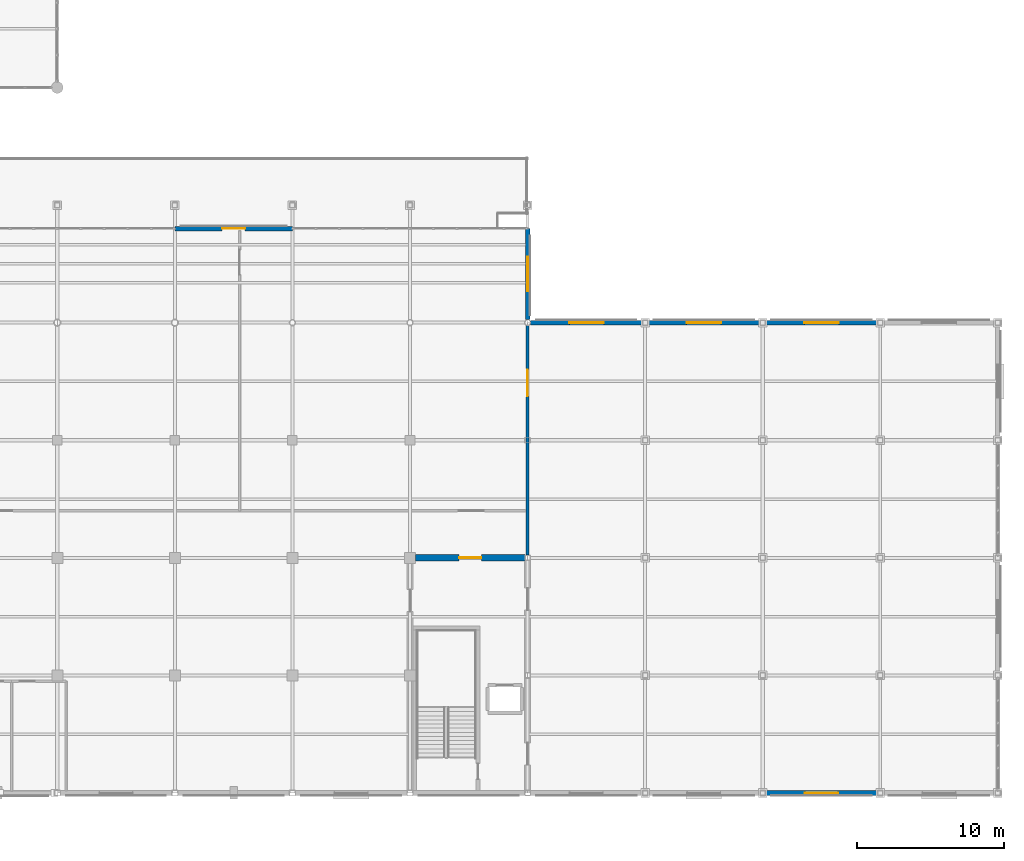
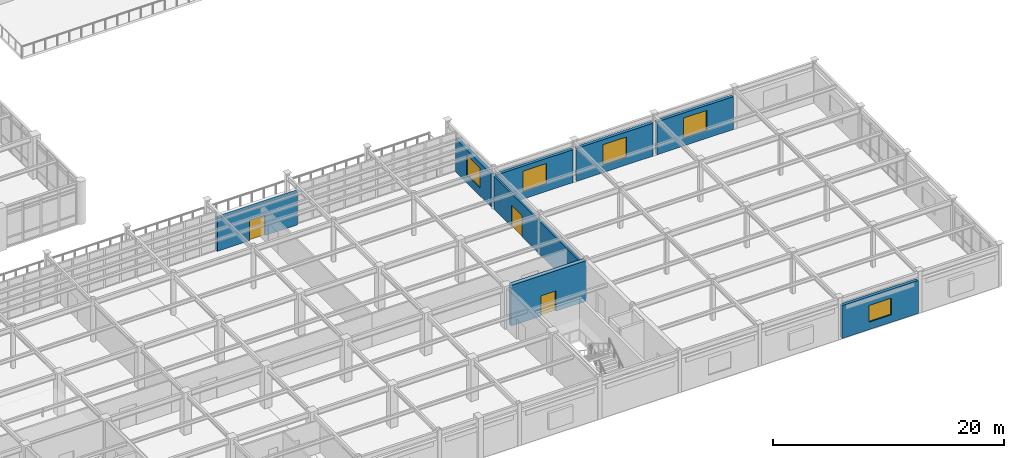
# One storey, part 85 of 111: 8 walls, 5 windows, 3 doors, 8 openings.
"""IFC4 building model written with IfcOpenShell, lengths in metres."""

import ifcopenshell
import ifcopenshell.guid

model = None  # the IFC model being written
_history = None  # IfcOwnerHistory: only IFC2X3 demands one
_inside = {}  # id of a spatial element -> (the spatial element, [elements in it])
_under = {}  # id of a project, library or spatial element -> (it, [spatial elements below it])
_declared = {}  # id of a project -> (the project, [libraries it declares])
_typed = {}  # id of a type object -> (the type object, [elements of that type])
_made_of = {}  # id of a material, layer set ... -> (it, [elements and type objects made of it])


def new_model(schema):
    """Start an empty IFC model of exactly this schema.

    Asked for "IFC4X3", IfcOpenShell would pick the latest addendum, in which some entities
    have other attributes; the version numbers below select the first issue.
    IFC2X3 requires an IfcOwnerHistory on every rooted entity: one is made here for all.
    """
    global model, _history
    if schema == "IFC4X3":
        model = ifcopenshell.file(schema_version=(4, 3, 0, 0))
    else:
        model = ifcopenshell.file(schema=schema)
    _inside.clear()
    _under.clear()
    _declared.clear()
    _typed.clear()
    _made_of.clear()
    _history = None
    if model.schema == "IFC2X3":
        org = make("IfcOrganization", Name="unknown")
        user = make(
            "IfcPersonAndOrganization",
            ThePerson=make("IfcPerson", FamilyName="unknown"),
            TheOrganization=org,
        )
        app = make(
            "IfcApplication",
            ApplicationDeveloper=org,
            Version="unknown",
            ApplicationFullName="unknown",
            ApplicationIdentifier="unknown",
        )
        _history = make(
            "IfcOwnerHistory",
            OwningUser=user,
            OwningApplication=app,
            ChangeAction="ADDED",
            CreationDate=0,
        )
    return model


def make(cls, **values):
    """One entity of the class cls with the attributes given. An attribute that is None is left unset."""
    return model.create_entity(
        cls, **{name: value for name, value in values.items() if value is not None}
    )


def rooted(cls, **values):
    """An entity with a GlobalId (a new one), such as an element, a storey or a relation."""
    return make(cls, GlobalId=ifcopenshell.guid.new(), OwnerHistory=_history, **values)


def si_unit(unit_type, name, prefix=None):
    """IfcSIUnit, for example si_unit("LENGTHUNIT", "METRE", prefix="MILLI")."""
    return make("IfcSIUnit", UnitType=unit_type, Prefix=prefix, Name=name)


def assignment(units):
    """IfcUnitAssignment: the units of a project."""
    return None if units is None else make("IfcUnitAssignment", Units=units)


def point(xyz):
    """IfcCartesianPoint."""
    return None if xyz is None else make("IfcCartesianPoint", Coordinates=xyz)


def direction(xyz):
    """IfcDirection."""
    return None if xyz is None else make("IfcDirection", DirectionRatios=xyz)


def frame(location, z_axis=None, x_axis=None):
    """IfcAxis2Placement3D, a coordinate frame: its origin and axes. An axis left out is left unset."""
    return make(
        "IfcAxis2Placement3D",
        Location=point(location),
        Axis=direction(z_axis),
        RefDirection=direction(x_axis),
    )


def frame_2d(location, x_axis=None):
    """IfcAxis2Placement2D, a coordinate frame in the plane: its origin and x axis."""
    return make(
        "IfcAxis2Placement2D", Location=point(location), RefDirection=direction(x_axis)
    )


def origin():
    """The frame at (0, 0, 0) with its axes left unset."""
    return frame((0.0, 0.0, 0.0))


def place(relative_to, where):
    """IfcLocalPlacement: puts the frame where relative to a parent placement (None: the world)."""
    return make(
        "IfcLocalPlacement", PlacementRelTo=relative_to, RelativePlacement=where
    )


def context(
    kind, dimensions, precision=None, world=None, true_north=None, identifier=None
):
    """IfcGeometricRepresentationContext, for example the 3D "Model" context."""
    return make(
        "IfcGeometricRepresentationContext",
        ContextIdentifier=identifier,
        ContextType=kind,
        CoordinateSpaceDimension=dimensions,
        Precision=precision,
        WorldCoordinateSystem=world,
        TrueNorth=true_north,
    )


def subcontext(parent, identifier, kind, view, scale=None):
    """IfcGeometricRepresentationSubContext, for example "Body" below "Model"."""
    return make(
        "IfcGeometricRepresentationSubContext",
        ContextIdentifier=identifier,
        ContextType=kind,
        ParentContext=parent,
        TargetScale=scale,
        TargetView=view,
    )


def project(units=None, contexts=None):
    """IfcProject with its units and contexts."""
    return rooted(
        "IfcProject",
        Name="project",
        RepresentationContexts=contexts,
        UnitsInContext=assignment(units),
    )


def spatial(cls, under=None, at=None, **own):
    """A site, building, storey or space (cls), placed at a placement, below another one or the project."""
    s = rooted(cls, ObjectPlacement=at, **own)
    if under is not None:
        _under.setdefault(under.id(), (under, []))[1].append(s)
    return s


def profile(cls, at=None, kind="AREA", **sizes):
    """A parametric profile (cls). Its sizes go by their IFC names, for example OverallWidth=200.0."""
    return make(cls, ProfileType=kind, Position=at, **sizes)


def rectangle(**sizes):
    """IfcRectangleProfileDef."""
    return profile("IfcRectangleProfileDef", **sizes)


def extrude(swept, where, along, depth):
    """IfcExtrudedAreaSolid: the profile swept, set in the frame where, extruded along a direction by depth."""
    return make(
        "IfcExtrudedAreaSolid",
        SweptArea=swept,
        Position=where,
        ExtrudedDirection=direction(along),
        Depth=depth,
    )


def shape(context_of_items, identifier, shape_type, items):
    """IfcShapeRepresentation: the items that make up one representation, for example the "Body"."""
    return make(
        "IfcShapeRepresentation",
        ContextOfItems=context_of_items,
        RepresentationIdentifier=identifier,
        RepresentationType=shape_type,
        Items=items,
    )


def material(Name=None, Category=None):
    """IfcMaterial."""
    return make("IfcMaterial", Name=Name, Category=Category)


def layer(
    of_material, thickness, ventilated=None, Name=None, Category=None, Priority=None
):
    """IfcMaterialLayer: one layer of a wall or slab, of a material (None: an air gap)."""
    return make(
        "IfcMaterialLayer",
        Material=of_material,
        LayerThickness=thickness,
        IsVentilated=ventilated,
        Name=Name,
        Category=Category,
        Priority=Priority,
    )


def layer_set(layers, Name=None):
    """IfcMaterialLayerSet."""
    return make("IfcMaterialLayerSet", MaterialLayers=layers, LayerSetName=Name)


def made_of(thing, what):
    """Note that an element or type object is made of a material, layer set ...; save() writes the relation."""
    if what is not None:
        _made_of.setdefault(what.id(), (what, []))[1].append(thing)
    return thing


def type_object(cls, material=None, **own):
    """A type object (cls), such as IfcWallType, which elements share."""
    return made_of(rooted(cls, **own), material)


def element(
    cls,
    number,
    at=None,
    inside=None,
    cuts=None,
    type_object=None,
    material=None,
    context=None,
    identifier="Body",
    shape_type=None,
    held_by="IfcProductDefinitionShape",
    body=None,
    shapes=None,
    **own,
):
    """One element of the class cls, such as IfcWall. Its Tag is "e" and its number.

    at: its placement. inside: the storey or other place that contains it. cuts: it is an
    opening in that element (IfcRelVoidsElement). A single representation is given by context,
    identifier, shape_type and body (its items); several are given by shapes. held_by: the class
    of the entity that holds the representations. save() writes the other relations.
    """
    e = rooted(cls, Tag="e%d" % number, ObjectPlacement=at, **own)
    if body is not None:
        shapes = [shape(context, identifier, shape_type, body)]
    if shapes is not None:
        e.Representation = make(held_by, Representations=shapes)
    if inside is not None:
        _inside.setdefault(inside.id(), (inside, []))[1].append(e)
    if cuts is not None:
        rooted(
            "IfcRelVoidsElement", RelatingBuildingElement=cuts, RelatedOpeningElement=e
        )
    if type_object is not None:
        _typed.setdefault(type_object.id(), (type_object, []))[1].append(e)
    return made_of(e, material)


def fill(opening, filler):
    """IfcRelFillsElement: the door or window that sits in an opening."""
    return rooted(
        "IfcRelFillsElement",
        RelatingOpeningElement=opening,
        RelatedBuildingElement=filler,
    )


def aggregate(whole, parts):
    """IfcRelAggregates: a whole, such as a stair, and the parts it consists of."""
    return rooted("IfcRelAggregates", RelatingObject=whole, RelatedObjects=parts)


def save(model, path):
    """Write the relations noted so far, then the file.

    IfcRelAggregates (storeys below a building ...), IfcRelContainedInSpatialStructure (elements
    in a storey), IfcRelDefinesByType, IfcRelAssociatesMaterial and IfcRelDeclares: one each for
    every whole, place, type object, material and project.
    """
    for whole, parts in _under.values():
        aggregate(whole, parts)
    for where, things in _inside.values():
        rooted(
            "IfcRelContainedInSpatialStructure",
            RelatedElements=things,
            RelatingStructure=where,
        )
    for kind, things in _typed.values():
        rooted("IfcRelDefinesByType", RelatedObjects=things, RelatingType=kind)
    for what, things in _made_of.values():
        rooted("IfcRelAssociatesMaterial", RelatedObjects=things, RelatingMaterial=what)
    for by, libraries in _declared.values():
        rooted("IfcRelDeclares", RelatingContext=by, RelatedDefinitions=libraries)
    model.write(path)


model = new_model("IFC4")

# Units and contexts
model_context = context("Model", 3, precision=1e-05, world=origin(), true_north=direction((0.0, 1.0)))
body_context = subcontext(model_context, "Body", "Model", "MODEL_VIEW")
ifc_project = project(units=[si_unit("LENGTHUNIT", "METRE"), si_unit("AREAUNIT", "SQUARE_METRE"), si_unit("VOLUMEUNIT", "CUBIC_METRE"), si_unit("PLANEANGLEUNIT", "RADIAN"), si_unit("MASSUNIT", "GRAM", prefix="KILO")], contexts=[model_context])

# Site, building, storey
site_placement = place(None, origin())
site = spatial("IfcSite", under=ifc_project, at=site_placement, CompositionType="ELEMENT")
building_placement = place(site_placement, origin())
building = spatial("IfcBuilding", under=site, at=building_placement, Name="Solmirada Galleria", CompositionType="ELEMENT")
storey_placement = place(building_placement, frame((0.0, 0.0, 10.39990234375)))
storey = spatial("IfcBuildingStorey", under=building, at=storey_placement, Name="L02", CompositionType="ELEMENT", Elevation=10.39990234375)

# Wall, opening, door
ifc_material_1 = material(Name="Concrete C40/50", Category="concrete")
ifc_layer_1 = layer(ifc_material_1, 0.419921875)
ifc_layer_set_1 = layer_set([ifc_layer_1], Name="Concrete C40/50")
wall_type_1 = type_object("IfcWallType", Name="WL-CORE-420", PredefinedType="SHEAR", material=ifc_layer_set_1)
wall_1_placement = place(storey_placement, frame((136.375, 16.0, 0.0), z_axis=(0.0, 0.0, 1.0), x_axis=(1.0, 0.0, 0.0)))
wall_1 = element("IfcWall", 1, at=wall_1_placement, inside=storey, type_object=wall_type_1, Name="Core C6 shear wall L02 N1", PredefinedType="SHEAR", context=body_context, shape_type="SweptSolid", body=[
    extrude(rectangle(XDim=7.447021484375, YDim=0.419921875, at=frame_2d((3.7236328125, 0.0))), origin(), (0.0, 0.0, 1.0), 4.280029296875),
])
opening_1_placement = place(wall_1_placement, frame((2.97412109375, 0.0, 0.0)))
opening_1 = element("IfcOpeningElement", 2, at=opening_1_placement, cuts=wall_1, Name="Opening LDY-251", PredefinedType="OPENING", context=body_context, shape_type="SweptSolid", body=[
    extrude(rectangle(XDim=1.5, YDim=2.14990234375, at=frame_2d((0.75, 1.074951171875))), frame((0.0, 0.219970703125, 0.0), z_axis=(0.0, -1.0, 0.0), x_axis=(1.0, 0.0, 0.0)), (0.0, 0.0, 1.0), 0.43994140625),
])
ifc_material_2 = material(Name="Fire-rated painted steel door assembly", Category="steel")
door_type_1 = type_object("IfcDoorType", Name="DR-LOBBY-150X215", OperationType="DOUBLE_DOOR_SINGLE_SWING", PredefinedType="DOOR", material=ifc_material_2)
door_1_placement = place(opening_1_placement, origin())
door_1 = element("IfcDoor", 3, at=door_1_placement, inside=storey, type_object=door_type_1, Name="Core C6 lobby access fire door LDY-251", OperationType="DOUBLE_DOOR_SINGLE_SWING", OverallHeight=2.14990234375, OverallWidth=1.5, PredefinedType="DOOR", context=body_context, shape_type="SweptSolid", body=[
    extrude(rectangle(XDim=1.5, YDim=2.14990234375, at=frame_2d((0.75, 1.074951171875))), frame((0.0, 0.02490234375, 0.0), z_axis=(0.0, -1.0, 0.0), x_axis=(1.0, 0.0, 0.0)), (0.0, 0.0, 1.0), 0.050048828125),
])
fill(opening_1, door_1)

# Wall, opening, window
ifc_material_3 = material(Name="Precast concrete C40/50", Category="concrete")
ifc_layer_2 = layer(ifc_material_3, 0.31005859375)
ifc_layer_set_2 = layer_set([ifc_layer_2], Name="Precast concrete C40/50")
wall_type_2 = type_object("IfcWallType", Name="WL-EXT-310", PredefinedType="STANDARD", material=ifc_layer_set_2)
wall_2_placement = place(storey_placement, frame((167.822021484375, 0.0, 0.0), z_axis=(0.0, 0.0, 1.0), x_axis=(-1.0, 0.0, 0.0)))
wall_2 = element("IfcWall", 4, at=wall_2_placement, inside=storey, type_object=wall_type_2, Name="Exterior wall L02 bay 002", PredefinedType="STANDARD", context=body_context, shape_type="SweptSolid", body=[
    extrude(rectangle(XDim=7.64404296875, YDim=0.31005859375, at=frame_2d((3.822021484375, 0.0))), origin(), (0.0, 0.0, 1.0), 3.47998046875),
])
opening_2_placement = place(wall_2_placement, frame((2.697021484375, 0.0, 0.800048828125)))
opening_2 = element("IfcOpeningElement", 5, at=opening_2_placement, cuts=wall_2, Name="Opening WN9", PredefinedType="OPENING", context=body_context, shape_type="SweptSolid", body=[
    extrude(rectangle(XDim=2.25, YDim=1.75, at=frame_2d((1.125, 0.875))), frame((0.0, 0.1650390625, 0.0), z_axis=(0.0, -1.0, 0.0), x_axis=(1.0, 0.0, 0.0)), (0.0, 0.0, 1.0), 0.330078125),
])
ifc_material_4 = material(Name="Impact-resistant low-E double glazing", Category="glass")
window_type_1 = type_object("IfcWindowType", Name="WIN-LOG-225X175", PartitioningType="DOUBLE_PANEL_VERTICAL", PredefinedType="WINDOW", material=ifc_material_4)
window_1_placement = place(opening_2_placement, origin())
window_1 = element("IfcWindow", 6, at=window_1_placement, inside=storey, type_object=window_type_1, Name="Window L02-035", OverallHeight=1.75, OverallWidth=2.25, PartitioningType="DOUBLE_PANEL_VERTICAL", PredefinedType="WINDOW", context=body_context, shape_type="SweptSolid", body=[
    extrude(rectangle(XDim=2.25, YDim=1.75, at=frame_2d((1.125, 0.875))), frame((0.0, 0.030029296875, 0.0), z_axis=(0.0, -1.0, 0.0), x_axis=(1.0, 0.0, 0.0)), (0.0, 0.0, 1.0), 0.06005859375),
])
fill(opening_2, window_1)

# Wall, opening, door
wall_3_placement = place(storey_placement, frame((120.0, 38.39990234375, 0.0), z_axis=(0.0, 0.0, 1.0), x_axis=(1.0, 0.0, 0.0)))
wall_3 = element("IfcWall", 7, at=wall_3_placement, inside=storey, type_object=wall_type_2, Name="Exterior wall L02 bay 086", PredefinedType="STANDARD", context=body_context, shape_type="SweptSolid", body=[
    extrude(rectangle(XDim=8.0, YDim=0.31005859375, at=frame_2d((4.0, 0.0))), origin(), (0.0, 0.0, 1.0), 3.47998046875),
])
opening_3_placement = place(wall_3_placement, frame((3.22509765625, 0.0, 0.0)))
opening_3 = element("IfcOpeningElement", 8, at=opening_3_placement, cuts=wall_3, Name="Opening TD-064", PredefinedType="OPENING", context=body_context, shape_type="SweptSolid", body=[
    extrude(rectangle(XDim=1.550048828125, YDim=2.14990234375, at=frame_2d((0.77490234375, 1.074951171875))), frame((0.0, 0.1650390625, 0.0), z_axis=(0.0, -1.0, 0.0), x_axis=(1.0, 0.0, 0.0)), (0.0, 0.0, 1.0), 0.330078125),
])
ifc_material_5 = material(Name="Thermally broken aluminium and laminated glass door", Category="aluminium")
door_type_2 = type_object("IfcDoorType", Name="DR-TERR-155X215", OperationType="DOUBLE_DOOR_SINGLE_SWING", PredefinedType="DOOR", material=ifc_material_5)
door_2_placement = place(opening_3_placement, origin())
door_2 = element("IfcDoor", 9, at=door_2_placement, inside=storey, type_object=door_type_2, Name="Planted terrace access door TD-064", OperationType="DOUBLE_DOOR_SINGLE_SWING", OverallHeight=2.14990234375, OverallWidth=1.550048828125, PredefinedType="DOOR", context=body_context, shape_type="SweptSolid", body=[
    extrude(rectangle(XDim=1.550048828125, YDim=2.14990234375, at=frame_2d((0.77490234375, 1.074951171875))), frame((0.0, 0.02490234375, 0.0), z_axis=(0.0, -1.0, 0.0), x_axis=(1.0, 0.0, 0.0)), (0.0, 0.0, 1.0), 0.050048828125),
])
fill(opening_3, door_2)

# Wall, opening, window
wall_4_placement = place(storey_placement, frame((144.0, 38.39990234375, 0.0), z_axis=(0.0, 0.0, 1.0), x_axis=(0.0, -1.0, 0.0)))
wall_4 = element("IfcWall", 10, at=wall_4_placement, inside=storey, type_object=wall_type_2, Name="Exterior wall L02 bay 089", PredefinedType="STANDARD", context=body_context, shape_type="SweptSolid", body=[
    extrude(rectangle(XDim=6.197021484375, YDim=0.31005859375, at=frame_2d((3.0986328125, 0.0))), origin(), (0.0, 0.0, 1.0), 3.47998046875),
])
opening_4_placement = place(wall_4_placement, frame((1.923095703125, 0.0, 0.800048828125)))
opening_4 = element("IfcOpeningElement", 11, at=opening_4_placement, cuts=wall_4, Name="Opening WN2", PredefinedType="OPENING", context=body_context, shape_type="SweptSolid", body=[
    extrude(rectangle(XDim=2.35009765625, YDim=2.14990234375, at=frame_2d((1.175048828125, 1.074951171875))), frame((0.0, 0.1650390625, 0.0), z_axis=(0.0, -1.0, 0.0), x_axis=(1.0, 0.0, 0.0)), (0.0, 0.0, 1.0), 0.330078125),
])
window_type_2 = type_object("IfcWindowType", Name="WIN-AVE-235X215", PartitioningType="DOUBLE_PANEL_VERTICAL", PredefinedType="WINDOW", material=ifc_material_4)
window_2_placement = place(opening_4_placement, origin())
window_2 = element("IfcWindow", 12, at=window_2_placement, inside=storey, type_object=window_type_2, Name="Window L02-061", OverallHeight=2.14990234375, OverallWidth=2.35009765625, PartitioningType="DOUBLE_PANEL_VERTICAL", PredefinedType="WINDOW", context=body_context, shape_type="SweptSolid", body=[
    extrude(rectangle(XDim=2.35009765625, YDim=2.14990234375, at=frame_2d((1.175048828125, 1.074951171875))), frame((0.0, 0.030029296875, 0.0), z_axis=(0.0, -1.0, 0.0), x_axis=(1.0, 0.0, 0.0)), (0.0, 0.0, 1.0), 0.06005859375),
])
fill(opening_4, window_2)

wall_5_placement = place(storey_placement, frame((144.202880859375, 32.0, 0.0), z_axis=(0.0, 0.0, 1.0), x_axis=(1.0, 0.0, 0.0)))
wall_5 = element("IfcWall", 13, at=wall_5_placement, inside=storey, type_object=wall_type_2, Name="Exterior wall L02 bay 090", PredefinedType="STANDARD", context=body_context, shape_type="SweptSolid", body=[
    extrude(rectangle(XDim=7.619140625, YDim=0.31005859375, at=frame_2d((3.8095703125, 0.0))), origin(), (0.0, 0.0, 1.0), 3.47998046875),
])
opening_5_placement = place(wall_5_placement, frame((2.635009765625, 0.0, 0.800048828125)))
opening_5 = element("IfcOpeningElement", 14, at=opening_5_placement, cuts=wall_5, Name="Opening WN2", PredefinedType="OPENING", context=body_context, shape_type="SweptSolid", body=[
    extrude(rectangle(XDim=2.35009765625, YDim=2.14990234375, at=frame_2d((1.175048828125, 1.074951171875))), frame((0.0, 0.1650390625, 0.0), z_axis=(0.0, -1.0, 0.0), x_axis=(1.0, 0.0, 0.0)), (0.0, 0.0, 1.0), 0.330078125),
])
window_3_placement = place(opening_5_placement, origin())
window_3 = element("IfcWindow", 15, at=window_3_placement, inside=storey, type_object=window_type_2, Name="Window L02-062", OverallHeight=2.14990234375, OverallWidth=2.35009765625, PartitioningType="DOUBLE_PANEL_VERTICAL", PredefinedType="WINDOW", context=body_context, shape_type="SweptSolid", body=[
    extrude(rectangle(XDim=2.35009765625, YDim=2.14990234375, at=frame_2d((1.175048828125, 1.074951171875))), frame((0.0, 0.030029296875, 0.0), z_axis=(0.0, -1.0, 0.0), x_axis=(1.0, 0.0, 0.0)), (0.0, 0.0, 1.0), 0.06005859375),
])
fill(opening_5, window_3)

wall_6_placement = place(storey_placement, frame((152.177978515625, 32.0, 0.0), z_axis=(0.0, 0.0, 1.0), x_axis=(1.0, 0.0, 0.0)))
wall_6 = element("IfcWall", 16, at=wall_6_placement, inside=storey, type_object=wall_type_2, Name="Exterior wall L02 bay 091", PredefinedType="STANDARD", context=body_context, shape_type="SweptSolid", body=[
    extrude(rectangle(XDim=7.64404296875, YDim=0.31005859375, at=frame_2d((3.822021484375, 0.0))), origin(), (0.0, 0.0, 1.0), 3.47998046875),
])
opening_6_placement = place(wall_6_placement, frame((2.64697265625, 0.0, 0.800048828125)))
opening_6 = element("IfcOpeningElement", 17, at=opening_6_placement, cuts=wall_6, Name="Opening WN2", PredefinedType="OPENING", context=body_context, shape_type="SweptSolid", body=[
    extrude(rectangle(XDim=2.35009765625, YDim=2.14990234375, at=frame_2d((1.175048828125, 1.074951171875))), frame((0.0, 0.1650390625, 0.0), z_axis=(0.0, -1.0, 0.0), x_axis=(1.0, 0.0, 0.0)), (0.0, 0.0, 1.0), 0.330078125),
])
window_4_placement = place(opening_6_placement, origin())
window_4 = element("IfcWindow", 18, at=window_4_placement, inside=storey, type_object=window_type_2, Name="Window L02-063", OverallHeight=2.14990234375, OverallWidth=2.35009765625, PartitioningType="DOUBLE_PANEL_VERTICAL", PredefinedType="WINDOW", context=body_context, shape_type="SweptSolid", body=[
    extrude(rectangle(XDim=2.35009765625, YDim=2.14990234375, at=frame_2d((1.175048828125, 1.074951171875))), frame((0.0, 0.030029296875, 0.0), z_axis=(0.0, -1.0, 0.0), x_axis=(1.0, 0.0, 0.0)), (0.0, 0.0, 1.0), 0.06005859375),
])
fill(opening_6, window_4)

wall_7_placement = place(storey_placement, frame((160.177978515625, 32.0, 0.0), z_axis=(0.0, 0.0, 1.0), x_axis=(1.0, 0.0, 0.0)))
wall_7 = element("IfcWall", 19, at=wall_7_placement, inside=storey, type_object=wall_type_2, Name="Exterior wall L02 bay 092", PredefinedType="STANDARD", context=body_context, shape_type="SweptSolid", body=[
    extrude(rectangle(XDim=7.64404296875, YDim=0.31005859375, at=frame_2d((3.822021484375, 0.0))), origin(), (0.0, 0.0, 1.0), 3.47998046875),
])
opening_7_placement = place(wall_7_placement, frame((2.64697265625, 0.0, 0.800048828125)))
opening_7 = element("IfcOpeningElement", 20, at=opening_7_placement, cuts=wall_7, Name="Opening WN2", PredefinedType="OPENING", context=body_context, shape_type="SweptSolid", body=[
    extrude(rectangle(XDim=2.35009765625, YDim=2.14990234375, at=frame_2d((1.175048828125, 1.074951171875))), frame((0.0, 0.1650390625, 0.0), z_axis=(0.0, -1.0, 0.0), x_axis=(1.0, 0.0, 0.0)), (0.0, 0.0, 1.0), 0.330078125),
])
window_5_placement = place(opening_7_placement, origin())
window_5 = element("IfcWindow", 21, at=window_5_placement, inside=storey, type_object=window_type_2, Name="Window L02-064", OverallHeight=2.14990234375, OverallWidth=2.35009765625, PartitioningType="DOUBLE_PANEL_VERTICAL", PredefinedType="WINDOW", context=body_context, shape_type="SweptSolid", body=[
    extrude(rectangle(XDim=2.35009765625, YDim=2.14990234375, at=frame_2d((1.175048828125, 1.074951171875))), frame((0.0, 0.030029296875, 0.0), z_axis=(0.0, -1.0, 0.0), x_axis=(1.0, 0.0, 0.0)), (0.0, 0.0, 1.0), 0.06005859375),
])
fill(opening_7, window_5)

# Wall, opening, door
ifc_material_6 = material(Name="Fire-rated gypsum and steel-stud partition", Category="steel")
ifc_layer_3 = layer(ifc_material_6, 0.18994140625)
ifc_layer_set_3 = layer_set([ifc_layer_3], Name="Fire-rated gypsum and steel-stud partition")
wall_type_3 = type_object("IfcWallType", Name="WL-PART-190", PredefinedType="PARTITIONING", material=ifc_layer_set_3)
wall_8_placement = place(storey_placement, frame((144.0, 16.177978515625, 0.0), z_axis=(0.0, 0.0, 1.0), x_axis=(0.0, 1.0, 0.0)))
wall_8 = element("IfcWall", 22, at=wall_8_placement, inside=storey, type_object=wall_type_3, Name="Partition L02-091 (East Stockroom L02)", PredefinedType="PARTITIONING", context=body_context, shape_type="SweptSolid", body=[
    extrude(rectangle(XDim=15.672119140625, YDim=0.18994140625, at=frame_2d((7.8359375, 0.0))), origin(), (0.0, 0.0, 1.0), 3.47998046875),
])
opening_8_placement = place(wall_8_placement, frame((10.827880859375, 0.0, 0.0)))
opening_8 = element("IfcOpeningElement", 23, at=opening_8_placement, cuts=wall_8, Name="Opening ID-324", PredefinedType="OPENING", context=body_context, shape_type="SweptSolid", body=[
    extrude(rectangle(XDim=1.800048828125, YDim=2.25, at=frame_2d((0.89990234375, 1.125))), frame((0.0, 0.10498046875, 0.0), z_axis=(0.0, -1.0, 0.0), x_axis=(1.0, 0.0, 0.0)), (0.0, 0.0, 1.0), 0.2099609375),
])
door_type_3 = type_object("IfcDoorType", Name="DR-STOCK-180X225", OperationType="DOUBLE_DOOR_SINGLE_SWING", PredefinedType="DOOR", material=ifc_material_2)
door_3_placement = place(opening_8_placement, origin())
door_3 = element("IfcDoor", 24, at=door_3_placement, inside=storey, type_object=door_type_3, Name="East Stockroom L02 door ID-324", OperationType="DOUBLE_DOOR_SINGLE_SWING", OverallHeight=2.25, OverallWidth=1.800048828125, PredefinedType="DOOR", context=body_context, shape_type="SweptSolid", body=[
    extrude(rectangle(XDim=1.800048828125, YDim=2.25, at=frame_2d((0.89990234375, 1.125))), frame((0.0, 0.02490234375, 0.0), z_axis=(0.0, -1.0, 0.0), x_axis=(1.0, 0.0, 0.0)), (0.0, 0.0, 1.0), 0.050048828125),
])
fill(opening_8, door_3)

save(model, "model.ifc")
